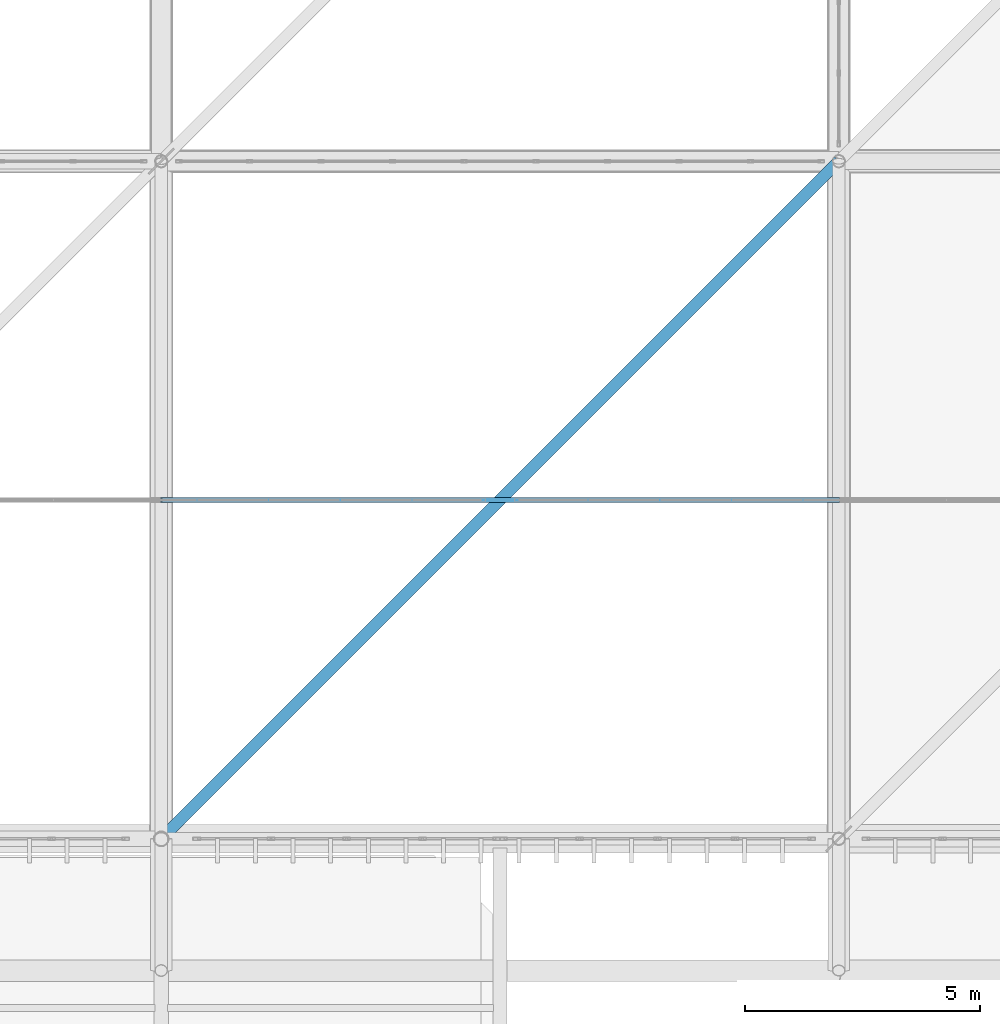
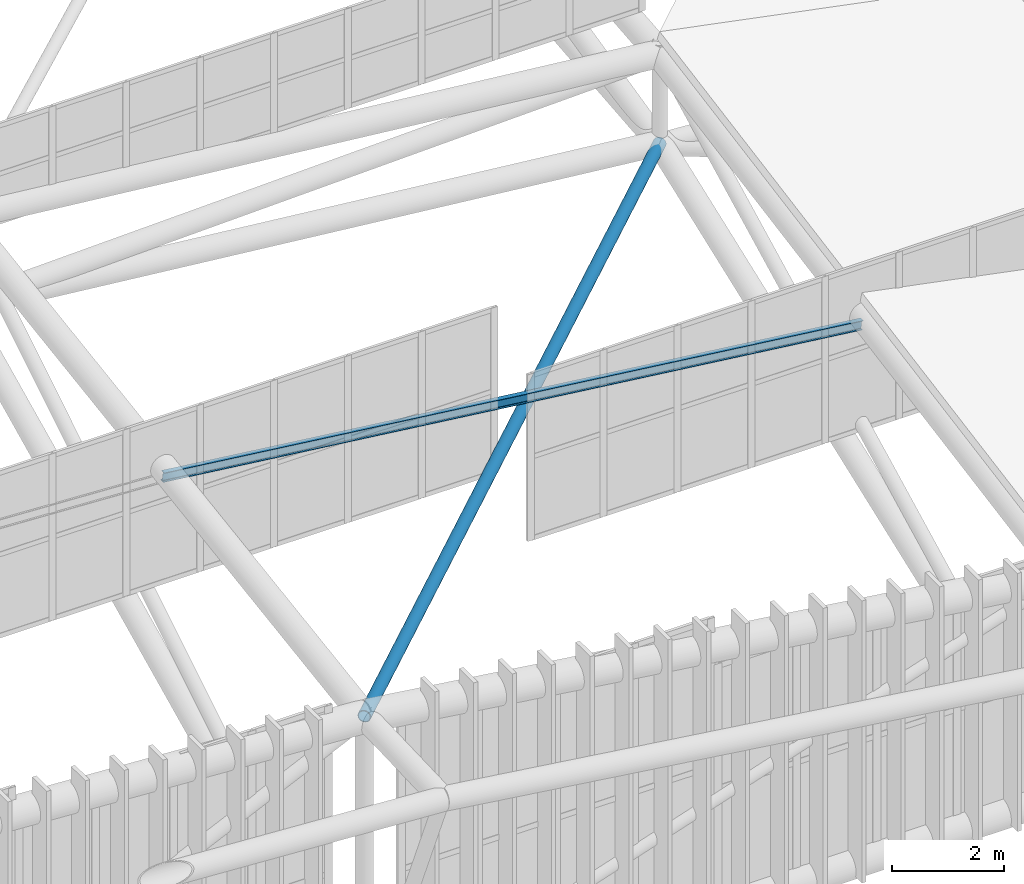
# One storey, part 103 of 397: 2 members.
"""IFC4 building model written with IfcOpenShell, lengths in metres."""

from ifc_helpers import new_model, si_unit, direction, frame, origin, origin_2d, place, context, subcontext, project, spatial, hollow_circle, i_section, extrude, material, material_profile, profile_set, type_object, element, save


model = new_model("IFC4")

# Units and contexts
model_context = context("Model", 3, precision=1e-05, world=origin(), true_north=direction((0.0, 1.0)))
body_context = subcontext(model_context, "Body", "Model", "MODEL_VIEW")
ifc_project = project(units=[si_unit("LENGTHUNIT", "METRE"), si_unit("AREAUNIT", "SQUARE_METRE"), si_unit("VOLUMEUNIT", "CUBIC_METRE"), si_unit("PLANEANGLEUNIT", "RADIAN"), si_unit("MASSUNIT", "GRAM", prefix="KILO")], contexts=[model_context])

# Site, building, storey
site_placement = place(None, origin())
site = spatial("IfcSite", under=ifc_project, at=site_placement, CompositionType="ELEMENT")
building_placement = place(site_placement, origin())
building = spatial("IfcBuilding", under=site, at=building_placement, Name="Qandorah Velis Arena", CompositionType="ELEMENT")
storey_placement = place(building_placement, frame((0.0, 0.0, 27.5)))
storey = spatial("IfcBuildingStorey", under=building, at=storey_placement, Name="RF", CompositionType="ELEMENT", Elevation=27.5)

# Members
ifc_material = material(Name="Steel S355", Category="steel")
ifc_material_profile_1 = material_profile(ifc_material, i_section(OverallWidth=0.10009765625, OverallDepth=0.199951171875, WebThickness=0.005615234375, FlangeThickness=0.008544921875, FilletRadius=0.011962890625, at=origin_2d()), Name="IPE 200")
ifc_profile_set_1 = profile_set([ifc_material_profile_1], Name="Steel S355")
member_type_1 = type_object("IfcMemberType", Name="STR-PRL-IPE200", PredefinedType="PURLIN", material=ifc_profile_set_1)
member_1_placement = place(storey_placement, frame((86.39990234375, 21.60009765625, 7.659423828125), z_axis=(0.992936377451, 0.0, -0.118648010245), x_axis=(0.0, 1.0, 0.0)))
element("IfcMember", 1, at=member_1_placement, inside=storey, type_object=member_type_1, Name="Arena roof purlin PRL-5.0", PredefinedType="PURLIN", context=body_context, shape_type="SweptSolid", body=[
    extrude(i_section(OverallWidth=0.10009765625, OverallDepth=0.199951171875, WebThickness=0.005615234375, FlangeThickness=0.008544921875, FilletRadius=0.011962890625, at=origin_2d()), origin(), (0.0, 0.0, 1.0), 14.502685546875),
])
ifc_material_profile_2 = material_profile(ifc_material, hollow_circle(Radius=0.122314453125, WallThickness=0.012451171875, at=origin_2d()), Name="CHS 244.5x12.5")
ifc_profile_set_2 = profile_set([ifc_material_profile_2], Name="Steel S355")
member_type_2 = type_object("IfcMemberType", Name="STR-SFD-CHS244X12", PredefinedType="STRUT", material=ifc_profile_set_2)
member_2_placement = place(storey_placement, frame((100.800048828125, 28.800048828125, 5.515380859375), z_axis=(-0.705705629054, -0.705705629054, 0.062921619843), x_axis=(0.707106781187, -0.707106781187, 0.0)))
element("IfcMember", 2, at=member_2_placement, inside=storey, type_object=member_type_2, Name="Space frame roof spatial diagonal 5.0", PredefinedType="STRUT", context=body_context, shape_type="SweptSolid", body=[
    extrude(hollow_circle(Radius=0.122314453125, WallThickness=0.012451171875, at=origin_2d()), origin(), (0.0, 0.0, 1.0), 20.4052734375),
])

save(model, "model.ifc")
